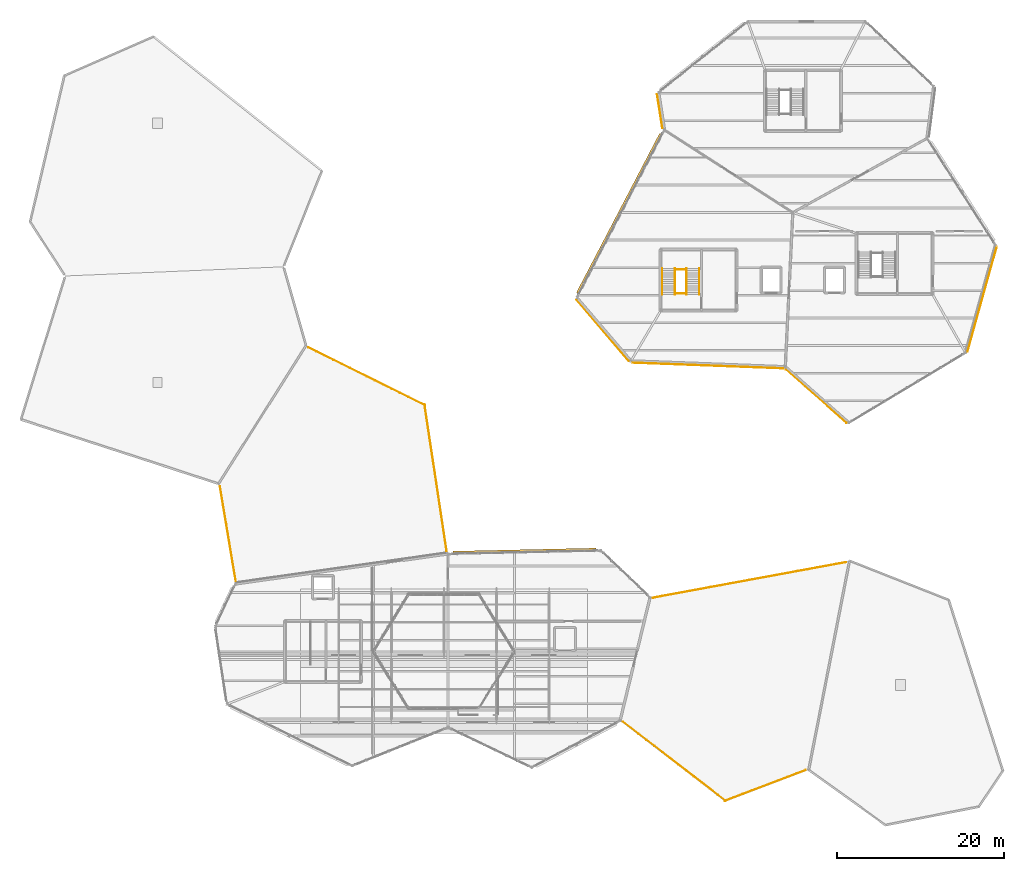
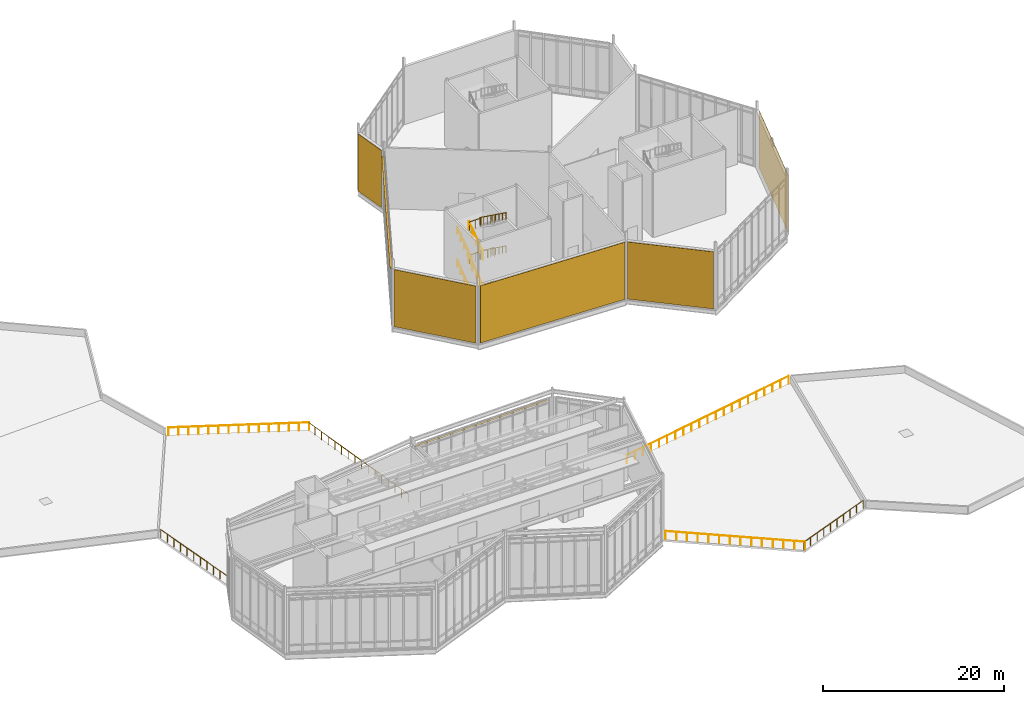
# One storey, part 65 of 66: 18 railings, 5 coverings, 2 shading devices.
"""IFC4 building model written with IfcOpenShell, lengths in metres."""

from ifc_helpers import new_model, si_unit, direction, frame, frame_2d, origin, origin_2d, place, context, subcontext, project, spatial, rectangle, circle, extrude, material, layer, layer_set, type_object, element, save


model = new_model("IFC4")

# Units and contexts
model_context = context("Model", 3, precision=1e-05, world=origin(), true_north=direction((0.0, 1.0)))
body_context = subcontext(model_context, "Body", "Model", "MODEL_VIEW")
ifc_project = project(units=[si_unit("LENGTHUNIT", "METRE"), si_unit("AREAUNIT", "SQUARE_METRE"), si_unit("VOLUMEUNIT", "CUBIC_METRE"), si_unit("PLANEANGLEUNIT", "RADIAN"), si_unit("MASSUNIT", "GRAM", prefix="KILO")], contexts=[model_context])

# Site, building, storey
site_placement = place(None, origin())
site = spatial("IfcSite", under=ifc_project, at=site_placement, CompositionType="ELEMENT")
building_placement = place(site_placement, origin())
building = spatial("IfcBuilding", under=site, at=building_placement, Name="Tameran Prism Museum", CompositionType="ELEMENT")
storey_placement = place(building_placement, frame((0.0, 0.0, 19.800048828125)))
storey = spatial("IfcBuildingStorey", under=building, at=storey_placement, Name="L04", CompositionType="ELEMENT", Elevation=19.800048828125)

# Coverings
ifc_material_1 = material(Name="White Fluted Mineral Precast GRC", Category="concrete")
ifc_layer_1 = layer(ifc_material_1, 0.044921875)
ifc_layer_set_1 = layer_set([ifc_layer_1])
covering_type = type_object("IfcCoveringType", Name="CV-FLUTE-WHT", PredefinedType="CLADDING", material=ifc_layer_set_1)
covering_1_placement = place(storey_placement, frame((117.653076171875, 70.4189453125, 0.050048828125), z_axis=(0.0, 0.0, 1.0), x_axis=(-0.99928497739, 0.037809178279, 0.0)))
element("IfcCovering", 1, at=covering_1_placement, inside=storey, type_object=covering_type, Name="Vertical Fluted White Precast Panel CL-0063", PredefinedType="CLADDING", context=body_context, shape_type="SweptSolid", body=[
    extrude(rectangle(XDim=18.093017578125, YDim=0.044921875, at=frame_2d((9.04638671875, 0.0))), origin(), (0.0, 0.0, 1.0), 7.719970703125),
])
covering_2_placement = place(storey_placement, frame((99.138916015625, 71.31298828125, 0.050048828125), z_axis=(0.0, 0.0, 1.0), x_axis=(-0.649933824591, 0.759990804979, 0.0)))
element("IfcCovering", 2, at=covering_2_placement, inside=storey, type_object=covering_type, Name="Vertical Fluted White Precast Panel CL-0064", PredefinedType="CLADDING", context=body_context, shape_type="SweptSolid", body=[
    extrude(rectangle(XDim=9.640869140625, YDim=0.044921875, at=frame_2d((4.8203125, 0.0))), origin(), (0.0, 0.0, 1.0), 7.719970703125),
])
covering_3_placement = place(storey_placement, frame((125.239013671875, 63.876953125, 0.050048828125), z_axis=(0.0, 0.0, 1.0), x_axis=(-0.750181119255, 0.661232401137, 0.0)))
element("IfcCovering", 3, at=covering_3_placement, inside=storey, type_object=covering_type, Name="Vertical Fluted White Precast Panel CL-0065", PredefinedType="CLADDING", context=body_context, shape_type="SweptSolid", body=[
    extrude(rectangle(XDim=9.7109375, YDim=0.044921875, at=frame_2d((4.85546875, 0.0))), origin(), (0.0, 0.0, 1.0), 7.719970703125),
])
covering_4_placement = place(storey_placement, frame((143.235107421875, 84.97607421875, 0.050048828125), z_axis=(0.0, 0.0, 1.0), x_axis=(-0.268850292875, -0.963181976586, 0.0)))
element("IfcCovering", 4, at=covering_4_placement, inside=storey, type_object=covering_type, Name="Vertical Fluted White Precast Panel CL-0066", PredefinedType="CLADDING", context=body_context, shape_type="SweptSolid", body=[
    extrude(rectangle(XDim=13.033935546875, YDim=0.044921875, at=frame_2d((6.51708984375, 0.0))), origin(), (0.0, 0.0, 1.0), 7.719970703125),
])
covering_5_placement = place(storey_placement, frame((103.176025390625, 99.2080078125, 0.050048828125), z_axis=(0.0, 0.0, 1.0), x_axis=(-0.153836417565, 0.988096329631, 0.0)))
element("IfcCovering", 5, at=covering_5_placement, inside=storey, type_object=covering_type, Name="Vertical Fluted White Precast Panel CL-0068", PredefinedType="CLADDING", context=body_context, shape_type="SweptSolid", body=[
    extrude(rectangle(XDim=4.13427734375, YDim=0.044921875, at=frame_2d((2.067138671875, 0.0))), origin(), (0.0, 0.0, 1.0), 7.719970703125),
])

# Railings
ifc_material_2 = material(Name="Marine Stainless Steel 316", Category="steel")
ifc_layer_2 = layer(ifc_material_2, 0.054931640625)
ifc_layer_set_2 = layer_set([ifc_layer_2])
railing_type_1 = type_object("IfcRailingType", Name="RL-GR-1120", PredefinedType="GUARDRAIL", material=ifc_layer_set_2)
railing_1_placement = place(storey_placement, frame((104.68994140625, 79.39990234375, 0.0)))
element("IfcRailing", 6, at=railing_1_placement, inside=storey, type_object=railing_type_1, Name="Stair Well Slot Guard GR-S020", PredefinedType="GUARDRAIL", context=body_context, shape_type="SweptSolid", body=[
    extrude(circle(Radius=0.02392578125, at=origin_2d()), frame((0.0, 0.0, 1.1259765625), z_axis=(1.0, 0.0, 0.0), x_axis=(0.0, 1.0, 0.0)), (0.0, 0.0, 1.0), 1.3701171875),
    extrude(circle(Radius=0.02099609375, at=origin_2d()), origin(), (0.0, 0.0, 1.0), 1.101806640625),
    extrude(circle(Radius=0.02099609375, at=origin_2d()), frame((0.68505859375, 0.0, 0.0)), (0.0, 0.0, 1.0), 1.101806640625),
    extrude(circle(Radius=0.02099609375, at=origin_2d()), frame((1.3701171875, 0.0, 0.0)), (0.0, 0.0, 1.0), 1.101806640625),
])
railing_2_placement = place(storey_placement, frame((104.669921875, 79.280029296875, 0.0)))
element("IfcRailing", 7, at=railing_2_placement, inside=storey, type_object=railing_type_1, Name="Stair Well Guardrail GR-S021", PredefinedType="GUARDRAIL", context=body_context, shape_type="SweptSolid", body=[
    extrude(circle(Radius=0.02392578125, at=origin_2d()), frame((0.0, 0.0, 1.1259765625), z_axis=(0.0, 0.811079039808, 0.584936570222), x_axis=(-1.0, 0.0, 0.0)), (0.0, 0.0, 1.0), 3.8466796875),
    extrude(circle(Radius=0.02099609375, at=origin_2d()), origin(), (0.0, 0.0, 1.0), 1.101806640625),
    extrude(circle(Radius=0.02099609375, at=origin_2d()), frame((0.0, 0.780029296875, 0.5625)), (0.0, 0.0, 1.0), 1.101806640625),
    extrude(circle(Radius=0.02099609375, at=origin_2d()), frame((0.0, 1.56005859375, 1.125)), (0.0, 0.0, 1.0), 1.101806640625),
    extrude(circle(Radius=0.02099609375, at=origin_2d()), frame((0.0, 2.33984375, 1.6875)), (0.0, 0.0, 1.0), 1.101806640625),
    extrude(circle(Radius=0.02099609375, at=origin_2d()), frame((0.0, 3.119873046875, 2.25)), (0.0, 0.0, 1.0), 1.101806640625),
])
railing_3_placement = place(storey_placement, frame((106.080078125, 82.39990234375, 2.25)))
element("IfcRailing", 8, at=railing_3_placement, inside=storey, type_object=railing_type_1, Name="Stair Well Guardrail GR-S022", PredefinedType="GUARDRAIL", context=body_context, shape_type="SweptSolid", body=[
    extrude(circle(Radius=0.02392578125, at=origin_2d()), frame((0.0, 0.0, 1.1259765625), z_axis=(0.0, -0.811079039808, 0.584936570222), x_axis=(1.0, 0.0, 0.0)), (0.0, 0.0, 1.0), 3.8466796875),
    extrude(circle(Radius=0.02099609375, at=origin_2d()), origin(), (0.0, 0.0, 1.0), 1.101806640625),
    extrude(circle(Radius=0.02099609375, at=origin_2d()), frame((0.0, -0.780029296875, 0.5625)), (0.0, 0.0, 1.0), 1.101806640625),
    extrude(circle(Radius=0.02099609375, at=origin_2d()), frame((0.0, -1.56005859375, 1.125)), (0.0, 0.0, 1.0), 1.101806640625),
    extrude(circle(Radius=0.02099609375, at=origin_2d()), frame((0.0, -2.33984375, 1.6875)), (0.0, 0.0, 1.0), 1.101806640625),
    extrude(circle(Radius=0.02099609375, at=origin_2d()), frame((0.0, -3.119873046875, 2.25)), (0.0, 0.0, 1.0), 1.101806640625),
])
railing_4_placement = place(storey_placement, frame((104.669921875, 79.280029296875, 4.5)))
element("IfcRailing", 9, at=railing_4_placement, inside=storey, type_object=railing_type_1, Name="Stair Well Guardrail GR-S023", PredefinedType="GUARDRAIL", context=body_context, shape_type="SweptSolid", body=[
    extrude(circle(Radius=0.02392578125, at=origin_2d()), frame((0.0, 0.0, 1.1259765625), z_axis=(0.0, 0.811079039808, 0.584936570222), x_axis=(-1.0, 0.0, 0.0)), (0.0, 0.0, 1.0), 3.8466796875),
    extrude(circle(Radius=0.02099609375, at=origin_2d()), origin(), (0.0, 0.0, 1.0), 1.101806640625),
    extrude(circle(Radius=0.02099609375, at=origin_2d()), frame((0.0, 0.780029296875, 0.5625)), (0.0, 0.0, 1.0), 1.101806640625),
    extrude(circle(Radius=0.02099609375, at=origin_2d()), frame((0.0, 1.56005859375, 1.125)), (0.0, 0.0, 1.0), 1.101806640625),
    extrude(circle(Radius=0.02099609375, at=origin_2d()), frame((0.0, 2.33984375, 1.6875)), (0.0, 0.0, 1.0), 1.101806640625),
    extrude(circle(Radius=0.02099609375, at=origin_2d()), frame((0.0, 3.119873046875, 2.25)), (0.0, 0.0, 1.0), 1.101806640625),
])
railing_5_placement = place(storey_placement, frame((106.080078125, 82.39990234375, 6.75)))
element("IfcRailing", 10, at=railing_5_placement, inside=storey, type_object=railing_type_1, Name="Stair Well Guardrail GR-S024", PredefinedType="GUARDRAIL", context=body_context, shape_type="SweptSolid", body=[
    extrude(circle(Radius=0.02392578125, at=origin_2d()), frame((0.0, 0.0, 1.1259765625), z_axis=(0.0, -0.811079039808, 0.584936570222), x_axis=(1.0, 0.0, 0.0)), (0.0, 0.0, 1.0), 3.8466796875),
    extrude(circle(Radius=0.02099609375, at=origin_2d()), origin(), (0.0, 0.0, 1.0), 1.101806640625),
    extrude(circle(Radius=0.02099609375, at=origin_2d()), frame((0.0, -0.780029296875, 0.5625)), (0.0, 0.0, 1.0), 1.101806640625),
    extrude(circle(Radius=0.02099609375, at=origin_2d()), frame((0.0, -1.56005859375, 1.125)), (0.0, 0.0, 1.0), 1.101806640625),
    extrude(circle(Radius=0.02099609375, at=origin_2d()), frame((0.0, -2.33984375, 1.6875)), (0.0, 0.0, 1.0), 1.101806640625),
    extrude(circle(Radius=0.02099609375, at=origin_2d()), frame((0.0, -3.119873046875, 2.25)), (0.0, 0.0, 1.0), 1.101806640625),
])
for number, where, name in (
    (11, (104.64990234375, 82.260009765625, 2.25), "Landing Well Guardrail GR-S025"),
    (12, (104.64990234375, 79.419921875, 4.5), "Landing Well Guardrail GR-S026"),
    (13, (104.64990234375, 82.260009765625, 6.75), "Landing Well Guardrail GR-S027"),
):
    element("IfcRailing", number, at=place(storey_placement, frame(where)), inside=storey, type_object=railing_type_1, Name=name, PredefinedType="GUARDRAIL", context=body_context, shape_type="SweptSolid", body=[
        extrude(circle(Radius=0.02392578125, at=origin_2d()), frame((0.0, 0.0, 1.1259765625), z_axis=(1.0, 0.0, 0.0), x_axis=(0.0, 1.0, 0.0)), (0.0, 0.0, 1.0), 1.4501953125),
        extrude(circle(Radius=0.02099609375, at=origin_2d()), origin(), (0.0, 0.0, 1.0), 1.101806640625),
        extrude(circle(Radius=0.02099609375, at=origin_2d()), frame((0.72509765625, 0.0, 0.0)), (0.0, 0.0, 1.0), 1.101806640625),
        extrude(circle(Radius=0.02099609375, at=origin_2d()), frame((1.4501953125, 0.0, 0.0)), (0.0, 0.0, 1.0), 1.101806640625),
    ])
ifc_material_3 = material(Name="Brushed Stainless Steel 316", Category="steel")
ifc_layer_3 = layer(ifc_material_3, 0.048095703125)
ifc_layer_set_3 = layer_set([ifc_layer_3])
railing_type_2 = type_object("IfcRailingType", Name="RL-HR-920", PredefinedType="HANDRAIL", material=ifc_layer_set_3)
railing_6_placement = place(storey_placement, frame((103.159912109375, 79.280029296875, 0.0)))
element("IfcRailing", 14, at=railing_6_placement, inside=storey, type_object=railing_type_2, Name="Stair Flight Handrail HR-011", PredefinedType="HANDRAIL", context=body_context, shape_type="SweptSolid", body=[
    extrude(circle(Radius=0.02392578125, at=origin_2d()), frame((0.0, 0.0, 0.89599609375), z_axis=(0.0, 0.811079039808, 0.584936570222), x_axis=(-1.0, 0.0, 0.0)), (0.0, 0.0, 1.0), 3.8466796875),
    extrude(circle(Radius=0.02099609375, at=origin_2d()), origin(), (0.0, 0.0, 1.0), 0.871826171875),
    extrude(circle(Radius=0.02099609375, at=origin_2d()), frame((0.0, 0.780029296875, 0.5625)), (0.0, 0.0, 1.0), 0.871826171875),
    extrude(circle(Radius=0.02099609375, at=origin_2d()), frame((0.0, 1.56005859375, 1.125)), (0.0, 0.0, 1.0), 0.871826171875),
    extrude(circle(Radius=0.02099609375, at=origin_2d()), frame((0.0, 2.33984375, 1.6875)), (0.0, 0.0, 1.0), 0.871826171875),
    extrude(circle(Radius=0.02099609375, at=origin_2d()), frame((0.0, 3.119873046875, 2.25)), (0.0, 0.0, 1.0), 0.871826171875),
])
railing_7_placement = place(storey_placement, frame((107.590087890625, 82.39990234375, 2.25)))
element("IfcRailing", 15, at=railing_7_placement, inside=storey, type_object=railing_type_2, Name="Stair Flight Handrail HR-012", PredefinedType="HANDRAIL", context=body_context, shape_type="SweptSolid", body=[
    extrude(circle(Radius=0.02392578125, at=origin_2d()), frame((0.0, 0.0, 0.89599609375), z_axis=(0.0, -0.811079039808, 0.584936570222), x_axis=(1.0, 0.0, 0.0)), (0.0, 0.0, 1.0), 3.8466796875),
    extrude(circle(Radius=0.02099609375, at=origin_2d()), origin(), (0.0, 0.0, 1.0), 0.871826171875),
    extrude(circle(Radius=0.02099609375, at=origin_2d()), frame((0.0, -0.780029296875, 0.5625)), (0.0, 0.0, 1.0), 0.871826171875),
    extrude(circle(Radius=0.02099609375, at=origin_2d()), frame((0.0, -1.56005859375, 1.125)), (0.0, 0.0, 1.0), 0.871826171875),
    extrude(circle(Radius=0.02099609375, at=origin_2d()), frame((0.0, -2.33984375, 1.6875)), (0.0, 0.0, 1.0), 0.871826171875),
    extrude(circle(Radius=0.02099609375, at=origin_2d()), frame((0.0, -3.119873046875, 2.25)), (0.0, 0.0, 1.0), 0.871826171875),
])
railing_8_placement = place(storey_placement, frame((103.159912109375, 79.280029296875, 4.5)))
element("IfcRailing", 16, at=railing_8_placement, inside=storey, type_object=railing_type_2, Name="Stair Flight Handrail HR-013", PredefinedType="HANDRAIL", context=body_context, shape_type="SweptSolid", body=[
    extrude(circle(Radius=0.02392578125, at=origin_2d()), frame((0.0, 0.0, 0.89599609375), z_axis=(0.0, 0.811079039808, 0.584936570222), x_axis=(-1.0, 0.0, 0.0)), (0.0, 0.0, 1.0), 3.8466796875),
    extrude(circle(Radius=0.02099609375, at=origin_2d()), origin(), (0.0, 0.0, 1.0), 0.871826171875),
    extrude(circle(Radius=0.02099609375, at=origin_2d()), frame((0.0, 0.780029296875, 0.5625)), (0.0, 0.0, 1.0), 0.871826171875),
    extrude(circle(Radius=0.02099609375, at=origin_2d()), frame((0.0, 1.56005859375, 1.125)), (0.0, 0.0, 1.0), 0.871826171875),
    extrude(circle(Radius=0.02099609375, at=origin_2d()), frame((0.0, 2.33984375, 1.6875)), (0.0, 0.0, 1.0), 0.871826171875),
    extrude(circle(Radius=0.02099609375, at=origin_2d()), frame((0.0, 3.119873046875, 2.25)), (0.0, 0.0, 1.0), 0.871826171875),
])
railing_9_placement = place(storey_placement, frame((107.590087890625, 82.39990234375, 6.75)))
element("IfcRailing", 17, at=railing_9_placement, inside=storey, type_object=railing_type_2, Name="Stair Flight Handrail HR-014", PredefinedType="HANDRAIL", context=body_context, shape_type="SweptSolid", body=[
    extrude(circle(Radius=0.02392578125, at=origin_2d()), frame((0.0, 0.0, 0.89599609375), z_axis=(0.0, -0.811079039808, 0.584936570222), x_axis=(1.0, 0.0, 0.0)), (0.0, 0.0, 1.0), 3.8466796875),
    extrude(circle(Radius=0.02099609375, at=origin_2d()), origin(), (0.0, 0.0, 1.0), 0.871826171875),
    extrude(circle(Radius=0.02099609375, at=origin_2d()), frame((0.0, -0.780029296875, 0.5625)), (0.0, 0.0, 1.0), 0.871826171875),
    extrude(circle(Radius=0.02099609375, at=origin_2d()), frame((0.0, -1.56005859375, 1.125)), (0.0, 0.0, 1.0), 0.871826171875),
    extrude(circle(Radius=0.02099609375, at=origin_2d()), frame((0.0, -2.33984375, 1.6875)), (0.0, 0.0, 1.0), 0.871826171875),
    extrude(circle(Radius=0.02099609375, at=origin_2d()), frame((0.0, -3.119873046875, 2.25)), (0.0, 0.0, 1.0), 0.871826171875),
])
ifc_material_4 = material(Name="Marine Stainless Steel 316", Category="steel")
ifc_layer_4 = layer(ifc_material_4, 0.06005859375)
ifc_layer_set_4 = layer_set([ifc_layer_4])
railing_type_3 = type_object("IfcRailingType", Name="RL-TER-1120", PredefinedType="GUARDRAIL", material=ifc_layer_set_4)
railing_10_placement = place(storey_placement, frame((50.172119140625, 56.294921875, 0.0)))
element("IfcRailing", 18, at=railing_10_placement, inside=storey, type_object=railing_type_3, Name="Terrace Guardrail GR-T006", PredefinedType="GUARDRAIL", context=body_context, shape_type="SweptSolid", body=[
    extrude(circle(Radius=0.02392578125, at=origin_2d()), frame((0.0, 0.0, 1.09619140625), z_axis=(0.164405878968, -0.986392775197, 0.0), x_axis=(0.986392775197, 0.164405878968, 0.0)), (0.0, 0.0, 1.0), 11.4892578125),
    extrude(circle(Radius=0.02099609375, at=origin_2d()), origin(), (0.0, 0.0, 1.0), 1.072021484375),
    extrude(circle(Radius=0.02099609375, at=origin_2d()), frame((0.18896484375, -1.13330078125, 0.0)), (0.0, 0.0, 1.0), 1.072021484375),
    extrude(circle(Radius=0.02099609375, at=origin_2d()), frame((0.377685546875, -2.2666015625, 0.0)), (0.0, 0.0, 1.0), 1.072021484375),
    extrude(circle(Radius=0.02099609375, at=origin_2d()), frame((0.566650390625, -3.39990234375, 0.0)), (0.0, 0.0, 1.0), 1.072021484375),
    extrude(circle(Radius=0.02099609375, at=origin_2d()), frame((0.755615234375, -4.533203125, 0.0)), (0.0, 0.0, 1.0), 1.072021484375),
    extrude(circle(Radius=0.02099609375, at=origin_2d()), frame((0.9443359375, -5.66650390625, 0.0)), (0.0, 0.0, 1.0), 1.072021484375),
    extrude(circle(Radius=0.02099609375, at=origin_2d()), frame((1.13330078125, -6.7998046875, 0.0)), (0.0, 0.0, 1.0), 1.072021484375),
    extrude(circle(Radius=0.02099609375, at=origin_2d()), frame((1.322265625, -7.93310546875, 0.0)), (0.0, 0.0, 1.0), 1.072021484375),
    extrude(circle(Radius=0.02099609375, at=origin_2d()), frame((1.51123046875, -9.06640625, 0.0)), (0.0, 0.0, 1.0), 1.072021484375),
    extrude(circle(Radius=0.02099609375, at=origin_2d()), frame((1.699951171875, -10.19970703125, 0.0)), (0.0, 0.0, 1.0), 1.072021484375),
    extrude(circle(Radius=0.02099609375, at=origin_2d()), frame((1.888916015625, -11.3330078125, 0.0)), (0.0, 0.0, 1.0), 1.072021484375),
])
railing_11_placement = place(storey_placement, frame((77.3291015625, 48.529052734375, 0.0)))
element("IfcRailing", 19, at=railing_11_placement, inside=storey, type_object=railing_type_3, Name="Terrace Guardrail GR-T007", PredefinedType="GUARDRAIL", context=body_context, shape_type="SweptSolid", body=[
    extrude(circle(Radius=0.02392578125, at=origin_2d()), frame((0.0, 0.0, 1.09619140625), z_axis=(-0.149180383792, 0.988809998479, 0.0), x_axis=(-0.988809998479, -0.149180383792, 0.0)), (0.0, 0.0, 1.0), 17.751708984375),
    extrude(circle(Radius=0.02099609375, at=origin_2d()), origin(), (0.0, 0.0, 1.0), 1.072021484375),
    extrude(circle(Radius=0.02099609375, at=origin_2d()), frame((-0.176513671875, 1.170166015625, 0.0)), (0.0, 0.0, 1.0), 1.072021484375),
    extrude(circle(Radius=0.02099609375, at=origin_2d()), frame((-0.35302734375, 2.34033203125, 0.0)), (0.0, 0.0, 1.0), 1.072021484375),
    extrude(circle(Radius=0.02099609375, at=origin_2d()), frame((-0.529541015625, 3.510498046875, 0.0)), (0.0, 0.0, 1.0), 1.072021484375),
    extrude(circle(Radius=0.02099609375, at=origin_2d()), frame((-0.706298828125, 4.680908203125, 0.0)), (0.0, 0.0, 1.0), 1.072021484375),
    extrude(circle(Radius=0.02099609375, at=origin_2d()), frame((-0.8828125, 5.85107421875, 0.0)), (0.0, 0.0, 1.0), 1.072021484375),
    extrude(circle(Radius=0.02099609375, at=origin_2d()), frame((-1.059326171875, 7.021240234375, 0.0)), (0.0, 0.0, 1.0), 1.072021484375),
    extrude(circle(Radius=0.02099609375, at=origin_2d()), frame((-1.23583984375, 8.19140625, 0.0)), (0.0, 0.0, 1.0), 1.072021484375),
    extrude(circle(Radius=0.02099609375, at=origin_2d()), frame((-1.412353515625, 9.361572265625, 0.0)), (0.0, 0.0, 1.0), 1.072021484375),
    extrude(circle(Radius=0.02099609375, at=origin_2d()), frame((-1.5888671875, 10.53173828125, 0.0)), (0.0, 0.0, 1.0), 1.072021484375),
    extrude(circle(Radius=0.02099609375, at=origin_2d()), frame((-1.765380859375, 11.701904296875, 0.0)), (0.0, 0.0, 1.0), 1.072021484375),
    extrude(circle(Radius=0.02099609375, at=origin_2d()), frame((-1.94189453125, 12.8720703125, 0.0)), (0.0, 0.0, 1.0), 1.072021484375),
    extrude(circle(Radius=0.02099609375, at=origin_2d()), frame((-2.11865234375, 14.04248046875, 0.0)), (0.0, 0.0, 1.0), 1.072021484375),
    extrude(circle(Radius=0.02099609375, at=origin_2d()), frame((-2.295166015625, 15.212646484375, 0.0)), (0.0, 0.0, 1.0), 1.072021484375),
    extrude(circle(Radius=0.02099609375, at=origin_2d()), frame((-2.4716796875, 16.3828125, 0.0)), (0.0, 0.0, 1.0), 1.072021484375),
    extrude(circle(Radius=0.02099609375, at=origin_2d()), frame((-2.648193359375, 17.552978515625, 0.0)), (0.0, 0.0, 1.0), 1.072021484375),
])
railing_12_placement = place(storey_placement, frame((74.7470703125, 65.992919921875, 0.0)))
element("IfcRailing", 20, at=railing_12_placement, inside=storey, type_object=railing_type_3, Name="Terrace Guardrail GR-T008", PredefinedType="GUARDRAIL", context=body_context, shape_type="SweptSolid", body=[
    extrude(circle(Radius=0.02392578125, at=origin_2d()), frame((0.0, 0.0, 1.09619140625), z_axis=(-0.895679814231, 0.444699528197, 0.0), x_axis=(-0.444699528197, -0.895679814231, 0.0)), (0.0, 0.0, 1.0), 15.626220703125),
    extrude(circle(Radius=0.02099609375, at=origin_2d()), origin(), (0.0, 0.0, 1.0), 1.072021484375),
    extrude(circle(Radius=0.02099609375, at=origin_2d()), frame((-0.999755859375, 0.496337890625, 0.0)), (0.0, 0.0, 1.0), 1.072021484375),
    extrude(circle(Radius=0.02099609375, at=origin_2d()), frame((-1.99951171875, 0.99267578125, 0.0)), (0.0, 0.0, 1.0), 1.072021484375),
    extrude(circle(Radius=0.02099609375, at=origin_2d()), frame((-2.999267578125, 1.489013671875, 0.0)), (0.0, 0.0, 1.0), 1.072021484375),
    extrude(circle(Radius=0.02099609375, at=origin_2d()), frame((-3.998779296875, 1.9853515625, 0.0)), (0.0, 0.0, 1.0), 1.072021484375),
    extrude(circle(Radius=0.02099609375, at=origin_2d()), frame((-4.99853515625, 2.481689453125, 0.0)), (0.0, 0.0, 1.0), 1.072021484375),
    extrude(circle(Radius=0.02099609375, at=origin_2d()), frame((-5.998291015625, 2.97802734375, 0.0)), (0.0, 0.0, 1.0), 1.072021484375),
    extrude(circle(Radius=0.02099609375, at=origin_2d()), frame((-6.998046875, 3.474609375, 0.0)), (0.0, 0.0, 1.0), 1.072021484375),
    extrude(circle(Radius=0.02099609375, at=origin_2d()), frame((-7.997802734375, 3.970947265625, 0.0)), (0.0, 0.0, 1.0), 1.072021484375),
    extrude(circle(Radius=0.02099609375, at=origin_2d()), frame((-8.99755859375, 4.46728515625, 0.0)), (0.0, 0.0, 1.0), 1.072021484375),
    extrude(circle(Radius=0.02099609375, at=origin_2d()), frame((-9.997314453125, 4.963623046875, 0.0)), (0.0, 0.0, 1.0), 1.072021484375),
    extrude(circle(Radius=0.02099609375, at=origin_2d()), frame((-10.996826171875, 5.4599609375, 0.0)), (0.0, 0.0, 1.0), 1.072021484375),
    extrude(circle(Radius=0.02099609375, at=origin_2d()), frame((-11.99658203125, 5.956298828125, 0.0)), (0.0, 0.0, 1.0), 1.072021484375),
    extrude(circle(Radius=0.02099609375, at=origin_2d()), frame((-12.996337890625, 6.45263671875, 0.0)), (0.0, 0.0, 1.0), 1.072021484375),
    extrude(circle(Radius=0.02099609375, at=origin_2d()), frame((-13.99609375, 6.948974609375, 0.0)), (0.0, 0.0, 1.0), 1.072021484375),
])
railing_13_placement = place(storey_placement, frame((98.43310546875, 28.094970703125, 0.0)))
element("IfcRailing", 21, at=railing_13_placement, inside=storey, type_object=railing_type_3, Name="Terrace Guardrail GR-T009", PredefinedType="GUARDRAIL", context=body_context, shape_type="SweptSolid", body=[
    extrude(circle(Radius=0.02392578125, at=origin_2d()), frame((0.0, 0.0, 1.09619140625), z_axis=(0.792381485613, -0.610025885727, 0.0), x_axis=(0.610025885727, 0.792381485613, 0.0)), (0.0, 0.0, 1.0), 15.572998046875),
    extrude(circle(Radius=0.02099609375, at=origin_2d()), origin(), (0.0, 0.0, 1.0), 1.072021484375),
    extrude(circle(Radius=0.02099609375, at=origin_2d()), frame((0.94921875, -0.730712890625, 0.0)), (0.0, 0.0, 1.0), 1.072021484375),
    extrude(circle(Radius=0.02099609375, at=origin_2d()), frame((1.8984375, -1.46142578125, 0.0)), (0.0, 0.0, 1.0), 1.072021484375),
    extrude(circle(Radius=0.02099609375, at=origin_2d()), frame((2.84765625, -2.1923828125, 0.0)), (0.0, 0.0, 1.0), 1.072021484375),
    extrude(circle(Radius=0.02099609375, at=origin_2d()), frame((3.796875, -2.923095703125, 0.0)), (0.0, 0.0, 1.0), 1.072021484375),
    extrude(circle(Radius=0.02099609375, at=origin_2d()), frame((4.74609375, -3.65380859375, 0.0)), (0.0, 0.0, 1.0), 1.072021484375),
    extrude(circle(Radius=0.02099609375, at=origin_2d()), frame((5.6953125, -4.384521484375, 0.0)), (0.0, 0.0, 1.0), 1.072021484375),
    extrude(circle(Radius=0.02099609375, at=origin_2d()), frame((6.64453125, -5.115478515625, 0.0)), (0.0, 0.0, 1.0), 1.072021484375),
    extrude(circle(Radius=0.02099609375, at=origin_2d()), frame((7.59375, -5.84619140625, 0.0)), (0.0, 0.0, 1.0), 1.072021484375),
    extrude(circle(Radius=0.02099609375, at=origin_2d()), frame((8.54296875, -6.576904296875, 0.0)), (0.0, 0.0, 1.0), 1.072021484375),
    extrude(circle(Radius=0.02099609375, at=origin_2d()), frame((9.4921875, -7.3076171875, 0.0)), (0.0, 0.0, 1.0), 1.072021484375),
    extrude(circle(Radius=0.02099609375, at=origin_2d()), frame((10.44140625, -8.03857421875, 0.0)), (0.0, 0.0, 1.0), 1.072021484375),
    extrude(circle(Radius=0.02099609375, at=origin_2d()), frame((11.390625, -8.769287109375, 0.0)), (0.0, 0.0, 1.0), 1.072021484375),
    extrude(circle(Radius=0.02099609375, at=origin_2d()), frame((12.33984375, -9.5, 0.0)), (0.0, 0.0, 1.0), 1.072021484375),
])
railing_14_placement = place(storey_placement, frame((110.656982421875, 18.612060546875, 0.0)))
element("IfcRailing", 22, at=railing_14_placement, inside=storey, type_object=railing_type_3, Name="Terrace Guardrail GR-T010", PredefinedType="GUARDRAIL", context=body_context, shape_type="SweptSolid", body=[
    extrude(circle(Radius=0.02392578125, at=origin_2d()), frame((0.0, 0.0, 1.09619140625), z_axis=(0.934800310287, 0.355173731977, 0.0), x_axis=(-0.355173731977, 0.934800310287, 0.0)), (0.0, 0.0, 1.0), 10.369140625),
    extrude(circle(Radius=0.02099609375, at=origin_2d()), origin(), (0.0, 0.0, 1.0), 1.072021484375),
    extrude(circle(Radius=0.02099609375, at=origin_2d()), frame((1.076904296875, 0.4091796875, 0.0)), (0.0, 0.0, 1.0), 1.072021484375),
    extrude(circle(Radius=0.02099609375, at=origin_2d()), frame((2.154052734375, 0.818359375, 0.0)), (0.0, 0.0, 1.0), 1.072021484375),
    extrude(circle(Radius=0.02099609375, at=origin_2d()), frame((3.23095703125, 1.2275390625, 0.0)), (0.0, 0.0, 1.0), 1.072021484375),
    extrude(circle(Radius=0.02099609375, at=origin_2d()), frame((4.30810546875, 1.63671875, 0.0)), (0.0, 0.0, 1.0), 1.072021484375),
    extrude(circle(Radius=0.02099609375, at=origin_2d()), frame((5.385009765625, 2.046142578125, 0.0)), (0.0, 0.0, 1.0), 1.072021484375),
    extrude(circle(Radius=0.02099609375, at=origin_2d()), frame((6.462158203125, 2.455322265625, 0.0)), (0.0, 0.0, 1.0), 1.072021484375),
    extrude(circle(Radius=0.02099609375, at=origin_2d()), frame((7.5390625, 2.864501953125, 0.0)), (0.0, 0.0, 1.0), 1.072021484375),
    extrude(circle(Radius=0.02099609375, at=origin_2d()), frame((8.6162109375, 3.273681640625, 0.0)), (0.0, 0.0, 1.0), 1.072021484375),
    extrude(circle(Radius=0.02099609375, at=origin_2d()), frame((9.693115234375, 3.682861328125, 0.0)), (0.0, 0.0, 1.0), 1.072021484375),
])
railing_15_placement = place(storey_placement, frame((125.205078125, 47.205078125, 0.0)))
element("IfcRailing", 23, at=railing_15_placement, inside=storey, type_object=railing_type_3, Name="Terrace Guardrail GR-T011", PredefinedType="GUARDRAIL", context=body_context, shape_type="SweptSolid", body=[
    extrude(circle(Radius=0.02392578125, at=origin_2d()), frame((0.0, 0.0, 1.09619140625), z_axis=(-0.983469710838, -0.181072714301, 0.0), x_axis=(0.181072714301, -0.983469710838, 0.0)), (0.0, 0.0, 1.0), 23.54931640625),
    extrude(circle(Radius=0.02099609375, at=origin_2d()), origin(), (0.0, 0.0, 1.0), 1.072021484375),
    extrude(circle(Radius=0.02099609375, at=origin_2d()), frame((-1.157958984375, -0.213134765625, 0.0)), (0.0, 0.0, 1.0), 1.072021484375),
    extrude(circle(Radius=0.02099609375, at=origin_2d()), frame((-2.31591796875, -0.426513671875, 0.0)), (0.0, 0.0, 1.0), 1.072021484375),
    extrude(circle(Radius=0.02099609375, at=origin_2d()), frame((-3.47412109375, -0.6396484375, 0.0)), (0.0, 0.0, 1.0), 1.072021484375),
    extrude(circle(Radius=0.02099609375, at=origin_2d()), frame((-4.632080078125, -0.852783203125, 0.0)), (0.0, 0.0, 1.0), 1.072021484375),
    extrude(circle(Radius=0.02099609375, at=origin_2d()), frame((-5.7900390625, -1.06591796875, 0.0)), (0.0, 0.0, 1.0), 1.072021484375),
    extrude(circle(Radius=0.02099609375, at=origin_2d()), frame((-6.947998046875, -1.279296875, 0.0)), (0.0, 0.0, 1.0), 1.072021484375),
    extrude(circle(Radius=0.02099609375, at=origin_2d()), frame((-8.10595703125, -1.492431640625, 0.0)), (0.0, 0.0, 1.0), 1.072021484375),
    extrude(circle(Radius=0.02099609375, at=origin_2d()), frame((-9.26416015625, -1.70556640625, 0.0)), (0.0, 0.0, 1.0), 1.072021484375),
    extrude(circle(Radius=0.02099609375, at=origin_2d()), frame((-10.422119140625, -1.9189453125, 0.0)), (0.0, 0.0, 1.0), 1.072021484375),
    extrude(circle(Radius=0.02099609375, at=origin_2d()), frame((-11.580078125, -2.132080078125, 0.0)), (0.0, 0.0, 1.0), 1.072021484375),
    extrude(circle(Radius=0.02099609375, at=origin_2d()), frame((-12.738037109375, -2.34521484375, 0.0)), (0.0, 0.0, 1.0), 1.072021484375),
    extrude(circle(Radius=0.02099609375, at=origin_2d()), frame((-13.89599609375, -2.55859375, 0.0)), (0.0, 0.0, 1.0), 1.072021484375),
    extrude(circle(Radius=0.02099609375, at=origin_2d()), frame((-15.05419921875, -2.771728515625, 0.0)), (0.0, 0.0, 1.0), 1.072021484375),
    extrude(circle(Radius=0.02099609375, at=origin_2d()), frame((-16.212158203125, -2.98486328125, 0.0)), (0.0, 0.0, 1.0), 1.072021484375),
    extrude(circle(Radius=0.02099609375, at=origin_2d()), frame((-17.3701171875, -3.1982421875, 0.0)), (0.0, 0.0, 1.0), 1.072021484375),
    extrude(circle(Radius=0.02099609375, at=origin_2d()), frame((-18.528076171875, -3.411376953125, 0.0)), (0.0, 0.0, 1.0), 1.072021484375),
    extrude(circle(Radius=0.02099609375, at=origin_2d()), frame((-19.68603515625, -3.62451171875, 0.0)), (0.0, 0.0, 1.0), 1.072021484375),
    extrude(circle(Radius=0.02099609375, at=origin_2d()), frame((-20.84423828125, -3.837646484375, 0.0)), (0.0, 0.0, 1.0), 1.072021484375),
    extrude(circle(Radius=0.02099609375, at=origin_2d()), frame((-22.002197265625, -4.051025390625, 0.0)), (0.0, 0.0, 1.0), 1.072021484375),
    extrude(circle(Radius=0.02099609375, at=origin_2d()), frame((-23.16015625, -4.26416015625, 0.0)), (0.0, 0.0, 1.0), 1.072021484375),
])

# Shading devices
ifc_material_5 = material(Name="Anodised Aluminium Alloy 6063-T6", Category="aluminium")
ifc_layer_5 = layer(ifc_material_5, 0.044921875)
ifc_layer_set_5 = layer_set([ifc_layer_5])
shading_device_type = type_object("IfcShadingDeviceType", Name="SH-JAL-240", PredefinedType="JALOUSIE", material=ifc_layer_set_5)
shading_device_1_placement = place(storey_placement, frame((97.97607421875, 89.006103515625, 7.33984375), z_axis=(0.0, 0.0, 1.0), x_axis=(0.462986663495, 0.886365246062, 0.0)))
element("IfcShadingDevice", 24, at=shading_device_1_placement, inside=storey, type_object=shading_device_type, Name="Monsoon Storm Louvre SLV-066", PredefinedType="JALOUSIE", context=body_context, shape_type="SweptSolid", body=[
    extrude(rectangle(XDim=21.51708984375, YDim=0.260009765625, at=origin_2d()), origin(), (0.0, 0.0, 1.0), 0.06005859375),
])
shading_device_2_placement = place(storey_placement, frame((86.676025390625, 48.5810546875, 7.33984375), z_axis=(0.0, 0.0, 1.0), x_axis=(0.99976202708, 0.021814885035, 0.0)))
element("IfcShadingDevice", 25, at=shading_device_2_placement, inside=storey, type_object=shading_device_type, Name="Monsoon Storm Louvre SLV-072", PredefinedType="JALOUSIE", context=body_context, shape_type="SweptSolid", body=[
    extrude(rectangle(XDim=17.14404296875, YDim=0.260009765625, at=origin_2d()), origin(), (0.0, 0.0, 1.0), 0.06005859375),
])

save(model, "model.ifc")
